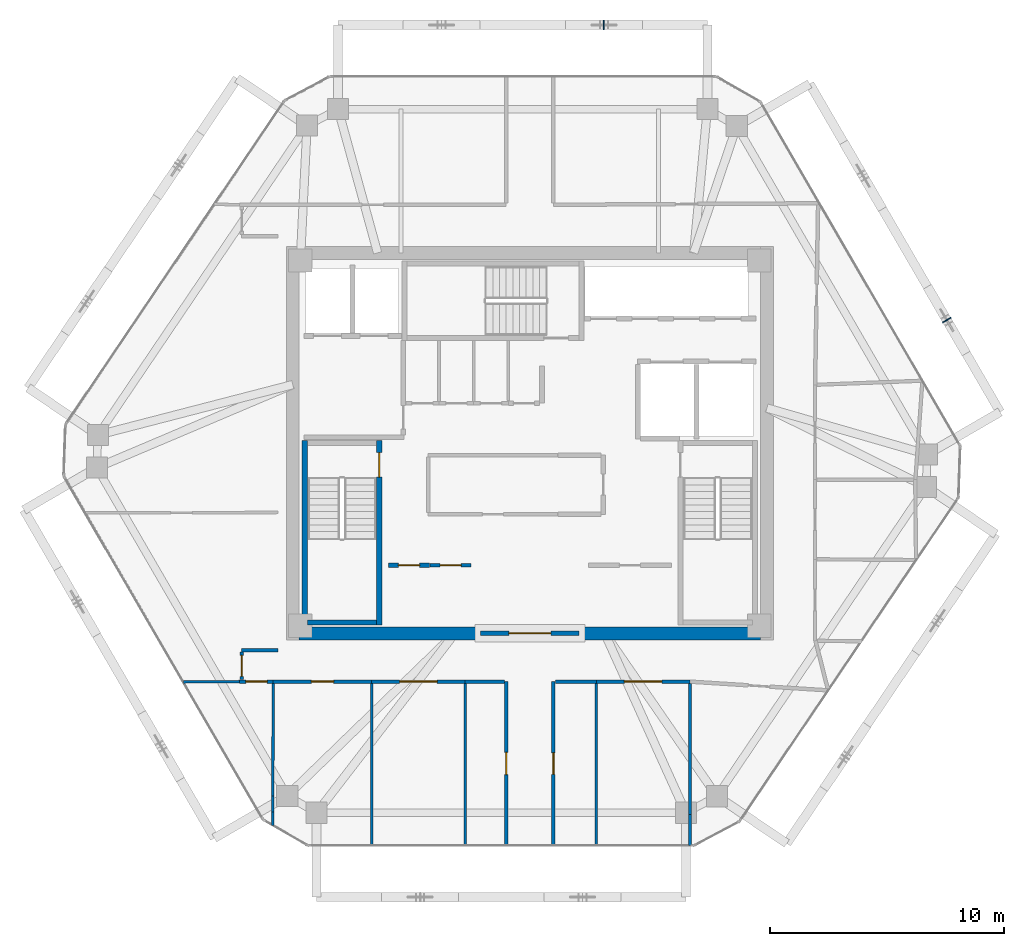
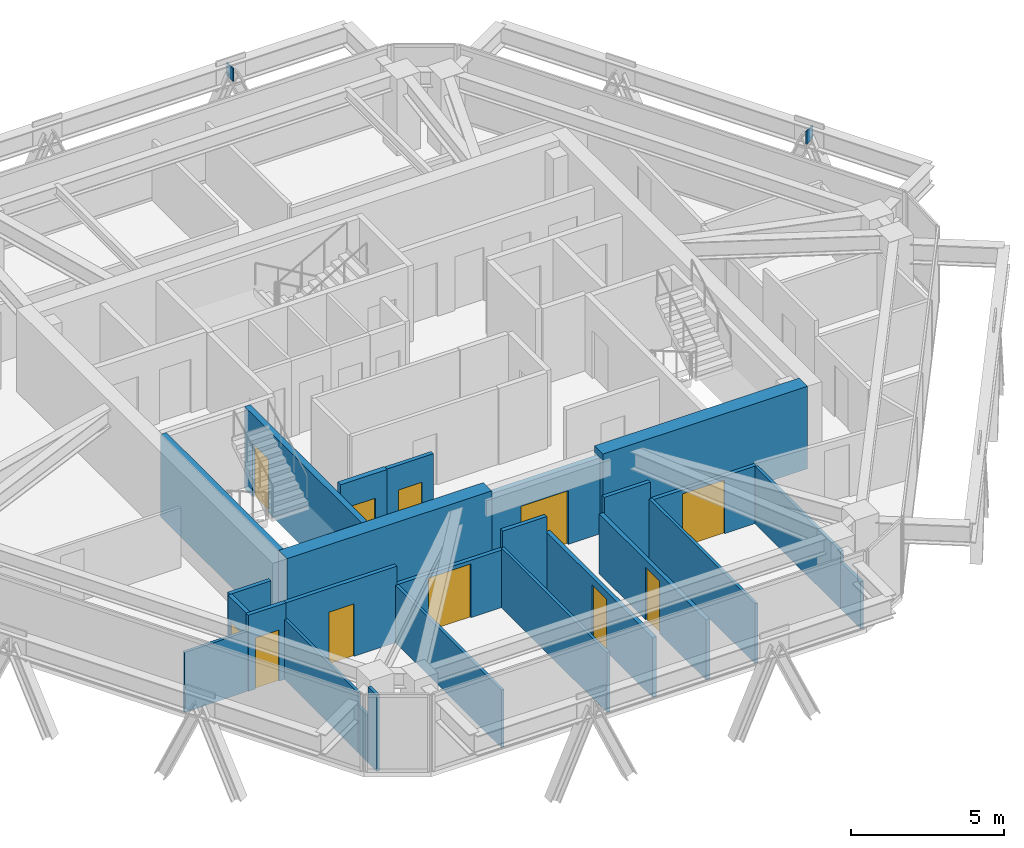
# One storey, part 9 of 13: 27 walls, 11 doors, 2 plates, 11 openings.
"""IFC4 building model written with IfcOpenShell, lengths in metres."""

from ifc_helpers import new_model, si_unit, direction, frame, frame_2d, origin, origin_2d, place, context, subcontext, project, spatial, rectangle, extrude, source, transform, mapped, material, layer, layer_set, type_object, type_shapes, element, fill, save


model = new_model("IFC4")

# Units and contexts
model_context = context("Model", 3, precision=1e-05, world=origin(), true_north=direction((0.0, 1.0)))
body_context = subcontext(model_context, "Body", "Model", "MODEL_VIEW")
ifc_project = project(units=[si_unit("LENGTHUNIT", "METRE"), si_unit("AREAUNIT", "SQUARE_METRE"), si_unit("VOLUMEUNIT", "CUBIC_METRE"), si_unit("PLANEANGLEUNIT", "RADIAN"), si_unit("MASSUNIT", "GRAM", prefix="KILO")], contexts=[model_context])

# Site, building, storey
site_placement = place(None, origin())
site = spatial("IfcSite", under=ifc_project, at=site_placement, CompositionType="ELEMENT")
building_placement = place(site_placement, origin())
building = spatial("IfcBuilding", under=site, at=building_placement, Name="Durnholm Broadcast Tower", CompositionType="ELEMENT")
storey_placement = place(building_placement, frame((0.0, 0.0, 248.0)))
storey = spatial("IfcBuildingStorey", under=building, at=storey_placement, Name="L69", CompositionType="ELEMENT", Elevation=248.0)

# Plates
ifc_material_1 = material(Name="Steel ASTM A572 Grade 50", Category="steel")
ifc_layer_1 = layer(ifc_material_1, 0.044921875)
ifc_layer_set_1 = layer_set([ifc_layer_1], Name="Steel ASTM A572 Grade 50")
plate_type = type_object("IfcPlateType", Name="PLT-KN-STIF", PredefinedType="SHEET", material=ifc_layer_set_1)
shared_shape_1 = source(origin(), body_context, "Body", "SweptSolid", [
    extrude(rectangle(XDim=0.044921875, YDim=0.419921875, at=origin_2d()), origin(), (0.0, 0.0, 1.0), 0.52001953125),
])
type_shapes(plate_type, [shared_shape_1])
for number, where, z_axis, x_axis, name in (
    (1, (17.806640625, 5.2548828125, 2.048583984375), (0.0, 0.0, 1.0), (-0.501963660617, 0.864888711581, 0.0), "L69 welded diagrid node stiffener plate F3"),
    (2, (3.164794921875, 17.862060546875, 2.048583984375), (0.0, 0.0, 1.0), (-1.0, 0.0, 0.0), "L69 welded diagrid node stiffener plate F4"),
):
    element("IfcPlate", number, at=place(storey_placement, frame(where, z_axis=z_axis, x_axis=x_axis)), inside=storey, type_object=plate_type, Name=name, PredefinedType="SHEET", context=body_context, shape_type="MappedRepresentation", body=[
        mapped(shared_shape_1, transform((0.0, 0.0, 0.0), x_axis=(1.0, 0.0, 0.0), y_axis=(0.0, 1.0, 0.0), z_axis=(0.0, 0.0, 1.0), scale=1.0)),
    ])

# Walls
ifc_material_2 = material(Name="Concrete C70/85", Category="concrete")
ifc_layer_2 = layer(ifc_material_2, 0.550048828125)
ifc_layer_set_2 = layer_set([ifc_layer_2], Name="Concrete C70/85")
wall_type_1 = type_object("IfcWallType", Name="WALL-CW-550", PredefinedType="SHEAR", material=ifc_layer_set_2)
for number, where, z_axis, x_axis, name in (
    (3, (-9.85009765625, -8.125, 0.0), (0.0, 0.0, 1.0), (1.0, 0.0, 0.0), "L69 central core shear wall CW-S1"),
    (4, (2.10009765625, -8.125, 0.0), (0.0, 0.0, 1.0), (1.0, 0.0, 0.0), "L69 central core shear wall CW-S2"),
):
    element("IfcWall", number, at=place(storey_placement, frame(where, z_axis=z_axis, x_axis=x_axis)), inside=storey, type_object=wall_type_1, Name=name, PredefinedType="SHEAR", context=body_context, shape_type="SweptSolid", body=[
        extrude(rectangle(XDim=7.75, YDim=0.550048828125, at=frame_2d((3.875, 0.0))), origin(), (0.0, 0.0, 1.0), 3.300048828125),
    ])

# Wall, opening, door
ifc_material_3 = material(Name="Fire-Rated Gypsum Shaftwall", Category="concrete")
ifc_layer_3 = layer(ifc_material_3, 0.199951171875)
ifc_layer_set_3 = layer_set([ifc_layer_3], Name="Fire-Rated Gypsum Shaftwall")
wall_type_2 = type_object("IfcWallType", Name="WALL-LOB-200", PredefinedType="SOLIDWALL", material=ifc_layer_set_3)
wall_1_placement = place(storey_placement, frame((-2.10009765625, -8.125, 0.0), z_axis=(0.0, 0.0, 1.0), x_axis=(1.0, 0.0, 0.0)))
wall_1 = element("IfcWall", 5, at=wall_1_placement, inside=storey, type_object=wall_type_2, Name="L69 south core lobby fire screen", PredefinedType="SOLIDWALL", context=body_context, shape_type="SweptSolid", body=[
    extrude(rectangle(XDim=4.2001953125, YDim=0.199951171875, at=frame_2d((2.10009765625, 0.0))), origin(), (0.0, 0.0, 1.0), 3.044921875),
])
opening_1_placement = place(wall_1_placement, frame((1.199951171875, 0.0, 0.0)))
opening_1 = element("IfcOpeningElement", 6, at=opening_1_placement, cuts=wall_1, Name="Opening DP-60", PredefinedType="OPENING", context=body_context, shape_type="SweptSolid", body=[
    extrude(rectangle(XDim=1.800048828125, YDim=2.14990234375, at=frame_2d((0.89990234375, 1.074951171875))), frame((0.0, 0.10986328125, 0.0), z_axis=(0.0, -1.0, 0.0), x_axis=(1.0, 0.0, 0.0)), (0.0, 0.0, 1.0), 0.219970703125),
])
ifc_material_4 = material(Name="Fire-Rated Double Corridor Door", Category="steel")
ifc_layer_4 = layer(ifc_material_4, 0.050048828125)
ifc_layer_set_4 = layer_set([ifc_layer_4], Name="Fire-Rated Double Corridor Door")
door_type_1 = type_object("IfcDoorType", Name="DOOR-PAIR-FD60", OperationType="DOUBLE_DOOR_SINGLE_SWING", PredefinedType="DOOR", material=ifc_layer_set_4)
shared_shape_2 = source(origin(), body_context, "Body", "SweptSolid", [
    extrude(rectangle(XDim=1.800048828125, YDim=2.14990234375, at=frame_2d((0.89990234375, 1.074951171875))), frame((0.0, 0.02490234375, 0.0), z_axis=(0.0, -1.0, 0.0), x_axis=(1.0, 0.0, 0.0)), (0.0, 0.0, 1.0), 0.050048828125),
])
type_shapes(door_type_1, [shared_shape_2])
door_1_placement = place(opening_1_placement, origin())
door_1 = element("IfcDoor", 7, at=door_1_placement, inside=storey, type_object=door_type_1, Name="L69 south core lobby double fire door", OperationType="DOUBLE_DOOR_SINGLE_SWING", OverallHeight=2.14990234375, OverallWidth=1.800048828125, PredefinedType="DOOR", context=body_context, shape_type="MappedRepresentation", body=[
    mapped(shared_shape_2, transform((0.0, 0.0, 0.0), x_axis=(1.0, 0.0, 0.0), y_axis=(0.0, 1.0, 0.0), z_axis=(0.0, 0.0, 1.0), scale=1.0)),
])
fill(opening_1, door_1)

wall_2_placement = place(storey_placement, frame((-6.0400390625, -5.2099609375, 0.0), z_axis=(0.0, 0.0, 1.0), x_axis=(1.0, 0.0, 0.0)))
wall_2 = element("IfcWall", 8, at=wall_2_placement, inside=storey, type_object=wall_type_2, Name="L69 Media Fiber Patch Room corridor partition", PredefinedType="SOLIDWALL", context=body_context, shape_type="SweptSolid", body=[
    extrude(rectangle(XDim=1.760009765625, YDim=0.199951171875, at=frame_2d((0.8798828125, 0.0))), origin(), (0.0, 0.0, 1.0), 3.044921875),
])
opening_2_placement = place(wall_2_placement, frame((0.429931640625, 0.0, 0.0)))
opening_2 = element("IfcOpeningElement", 9, at=opening_2_placement, cuts=wall_2, Name="Opening DC-60R", PredefinedType="OPENING", context=body_context, shape_type="SweptSolid", body=[
    extrude(rectangle(XDim=0.89990234375, YDim=2.050048828125, at=frame_2d((0.449951171875, 1.02490234375))), frame((0.0, 0.10986328125, 0.0), z_axis=(0.0, -1.0, 0.0), x_axis=(1.0, 0.0, 0.0)), (0.0, 0.0, 1.0), 0.219970703125),
])
ifc_material_5 = material(Name="Fire-Rated Core Service Door", Category="steel")
ifc_layer_5 = layer(ifc_material_5, 0.050048828125)
ifc_layer_set_5 = layer_set([ifc_layer_5], Name="Fire-Rated Core Service Door")
door_type_2 = type_object("IfcDoorType", Name="DOOR-CORE-FD60-R", OperationType="NOTDEFINED", PredefinedType="DOOR", material=ifc_layer_set_5)
shared_shape_3 = source(origin(), body_context, "Body", "SweptSolid", [
    extrude(rectangle(XDim=0.89990234375, YDim=2.050048828125, at=frame_2d((0.449951171875, 1.02490234375))), frame((0.0, 0.02490234375, 0.0), z_axis=(0.0, -1.0, 0.0), x_axis=(1.0, 0.0, 0.0)), (0.0, 0.0, 1.0), 0.050048828125),
])
type_shapes(door_type_2, [shared_shape_3])
door_2_placement = place(opening_2_placement, origin())
door_2 = element("IfcDoor", 10, at=door_2_placement, inside=storey, type_object=door_type_2, Name="L69 Media Fiber Patch Room entrance door", OperationType="SINGLE_SWING_RIGHT", OverallHeight=2.050048828125, OverallWidth=0.89990234375, PredefinedType="DOOR", context=body_context, shape_type="MappedRepresentation", body=[
    mapped(shared_shape_3, transform((0.0, 0.0, 0.0), x_axis=(1.0, 0.0, 0.0), y_axis=(0.0, 1.0, 0.0), z_axis=(0.0, 0.0, 1.0), scale=1.0)),
])
fill(opening_2, door_2)

# Walls
ifc_material_6 = material(Name="Operable Acoustic Panel Partition", Category="aluminium")
ifc_layer_6 = layer(ifc_material_6, 0.110107421875)
ifc_layer_set_6 = layer_set([ifc_layer_6], Name="Operable Acoustic Panel Partition")
wall_type_3 = type_object("IfcWallType", Name="WALL-MOV-110", PredefinedType="MOVABLE", material=ifc_layer_set_6)
wall_3_placement = place(storey_placement, frame((-10.960205078125, -10.259033203125, 0.0), z_axis=(0.0, 0.0, 1.0), x_axis=(-0.003240981611, -0.999994748005, 0.0)))
element("IfcWall", 11, at=wall_3_placement, inside=storey, type_object=wall_type_3, Name="L69 room dividing partition 15.16", PredefinedType="MOVABLE", context=body_context, shape_type="SweptSolid", body=[
    extrude(rectangle(XDim=4.821044921875, YDim=0.110107421875, at=frame_2d((2.41064453125, 0.0))), origin(), (0.0, 0.0, 1.0), 2.398681640625),
])
wall_4_placement = place(storey_placement, frame((-10.97802734375, -15.7578125, 0.0), z_axis=(0.0, 0.0, 1.0), x_axis=(-0.003467686129, -0.999993987558, 0.0)))
element("IfcWall", 12, at=wall_4_placement, inside=storey, type_object=wall_type_3, Name="L69 room dividing partition 15.16", PredefinedType="MOVABLE", context=body_context, shape_type="SweptSolid", body=[
    extrude(rectangle(XDim=0.563232421875, YDim=0.110107421875, at=frame_2d((0.28173828125, 0.0))), origin(), (0.0, 0.0, 1.0), 3.044921875),
])
wall_5_placement = place(storey_placement, frame((-10.975830078125, -15.080078125, 0.0), z_axis=(0.0, 0.0, 1.0), x_axis=(-0.003242057889, -0.999994744517, 0.0)))
element("IfcWall", 13, at=wall_5_placement, inside=storey, type_object=wall_type_3, Name="L69 room dividing partition 15.16", PredefinedType="MOVABLE", context=body_context, shape_type="SweptSolid", body=[
    extrude(rectangle(XDim=0.677734375, YDim=0.110107421875, at=frame_2d((0.3388671875, 0.0))), origin(), (0.0, 0.0, 1.0), 1.876953125),
])
wall_6_placement = place(storey_placement, frame((-14.801513671875, -10.199951171875, 0.0), z_axis=(0.0, 0.0, 1.0), x_axis=(0.999968020968, 0.007997314604, 0.0)))
element("IfcWall", 14, at=wall_6_placement, inside=storey, type_object=wall_type_3, Name="L69 room dividing partition 15.22", PredefinedType="MOVABLE", context=body_context, shape_type="SweptSolid", body=[
    extrude(rectangle(XDim=2.41162109375, YDim=0.110107421875, at=frame_2d((1.205810546875, 0.0))), origin(), (0.0, 0.0, 1.0), 2.398681640625),
])
wall_7_placement = place(storey_placement, frame((-6.760009765625, -10.259033203125, 0.0), z_axis=(0.0, 0.0, 1.0), x_axis=(0.0, -1.0, 0.0)))
element("IfcWall", 15, at=wall_7_placement, inside=storey, type_object=wall_type_3, Name="L69 room dividing partition 16.17", PredefinedType="MOVABLE", context=body_context, shape_type="SweptSolid", body=[
    extrude(rectangle(XDim=6.927001953125, YDim=0.110107421875, at=frame_2d((3.46337890625, 0.0))), origin(), (0.0, 0.0, 1.0), 2.30126953125),
])
for number, where, z_axis, x_axis, name in (
    (16, (-2.760009765625, -10.259033203125, 0.0), (0.0, 0.0, 1.0), (0.0, -1.0, 0.0), "L69 room dividing partition 17.18"),
    (17, (2.840087890625, -10.259033203125, 0.0), (0.0, 0.0, 1.0), (0.0, -1.0, 0.0), "L69 room dividing partition 19.20"),
):
    element("IfcWall", number, at=place(storey_placement, frame(where, z_axis=z_axis, x_axis=x_axis)), inside=storey, type_object=wall_type_3, Name=name, PredefinedType="MOVABLE", context=body_context, shape_type="SweptSolid", body=[
        extrude(rectangle(XDim=6.927001953125, YDim=0.110107421875, at=frame_2d((3.46337890625, 0.0))), origin(), (0.0, 0.0, 1.0), 2.398681640625),
    ])
wall_8_placement = place(storey_placement, frame((6.840087890625, -10.264404296875, 0.0), z_axis=(0.0, 0.0, 1.0), x_axis=(0.0, -1.0, 0.0)))
element("IfcWall", 18, at=wall_8_placement, inside=storey, type_object=wall_type_3, Name="L69 room dividing partition 20.21", PredefinedType="MOVABLE", context=body_context, shape_type="SweptSolid", body=[
    extrude(rectangle(XDim=5.605712890625, YDim=0.110107421875, at=frame_2d((2.802734375, 0.0))), origin(), (0.0, 0.0, 1.0), 2.30126953125),
])
wall_9_placement = place(storey_placement, frame((6.840087890625, -15.8701171875, 0.0), z_axis=(0.0, 0.0, 1.0), x_axis=(0.0, -1.0, 0.0)))
element("IfcWall", 19, at=wall_9_placement, inside=storey, type_object=wall_type_3, Name="L69 room dividing partition 20.21", PredefinedType="MOVABLE", context=body_context, shape_type="SweptSolid", body=[
    extrude(rectangle(XDim=1.31591796875, YDim=0.110107421875, at=frame_2d((0.657958984375, 0.0))), origin(), (0.0, 0.0, 1.0), 1.876953125),
])

# Wall, opening, door
ifc_material_7 = material(Name="Acoustic Gypsum Stud Partition", Category="concrete")
ifc_layer_7 = layer(ifc_material_7, 0.14990234375)
ifc_layer_set_7 = layer_set([ifc_layer_7], Name="Acoustic Gypsum Stud Partition")
wall_type_4 = type_object("IfcWallType", Name="WALL-PART-150", PredefinedType="PARTITIONING", material=ifc_layer_set_7)
wall_10_placement = place(storey_placement, frame((-4.260009765625, -5.2099609375, 0.0), z_axis=(0.0, 0.0, 1.0), x_axis=(1.0, 0.0, 0.0)))
wall_10 = element("IfcWall", 20, at=wall_10_placement, inside=storey, type_object=wall_type_4, Name="L69 Copy and Print Room corridor partition", PredefinedType="PARTITIONING", context=body_context, shape_type="SweptSolid", body=[
    extrude(rectangle(XDim=1.75, YDim=0.14990234375, at=frame_2d((0.875, 0.0))), origin(), (0.0, 0.0, 1.0), 3.044921875),
])
opening_3_placement = place(wall_10_placement, frame((0.425048828125, 0.0, 0.0)))
opening_3 = element("IfcOpeningElement", 21, at=opening_3_placement, cuts=wall_10, Name="Opening DC-60L", PredefinedType="OPENING", context=body_context, shape_type="SweptSolid", body=[
    extrude(rectangle(XDim=0.89990234375, YDim=2.050048828125, at=frame_2d((0.449951171875, 1.02490234375))), frame((0.0, 0.0849609375, 0.0), z_axis=(0.0, -1.0, 0.0), x_axis=(1.0, 0.0, 0.0)), (0.0, 0.0, 1.0), 0.169921875),
])
ifc_layer_8 = layer(ifc_material_5, 0.050048828125)
ifc_layer_set_8 = layer_set([ifc_layer_8], Name="Fire-Rated Core Service Door")
door_type_3 = type_object("IfcDoorType", Name="DOOR-CORE-FD60-L", OperationType="NOTDEFINED", PredefinedType="DOOR", material=ifc_layer_set_8)
shared_shape_4 = source(origin(), body_context, "Body", "SweptSolid", [
    extrude(rectangle(XDim=0.89990234375, YDim=2.050048828125, at=frame_2d((0.449951171875, 1.02490234375))), frame((0.0, 0.02490234375, 0.0), z_axis=(0.0, -1.0, 0.0), x_axis=(1.0, 0.0, 0.0)), (0.0, 0.0, 1.0), 0.050048828125),
])
type_shapes(door_type_3, [shared_shape_4])
door_3_placement = place(opening_3_placement, origin())
door_3 = element("IfcDoor", 22, at=door_3_placement, inside=storey, type_object=door_type_3, Name="L69 Copy and Print Room entrance door", OperationType="SINGLE_SWING_LEFT", OverallHeight=2.050048828125, OverallWidth=0.89990234375, PredefinedType="DOOR", context=body_context, shape_type="MappedRepresentation", body=[
    mapped(shared_shape_4, transform((0.0, 0.0, 0.0), x_axis=(1.0, 0.0, 0.0), y_axis=(0.0, 1.0, 0.0), z_axis=(0.0, 0.0, 1.0), scale=1.0)),
])
fill(opening_3, door_3)

wall_11_placement = place(storey_placement, frame((-12.389892578125, -10.179931640625, 0.0), z_axis=(0.0, 0.0, 1.0), x_axis=(1.0, 0.0, 0.0)))
wall_11 = element("IfcWall", 23, at=wall_11_placement, inside=storey, type_object=wall_type_4, Name="L69 Affiliate Conference Room corridor partition", PredefinedType="PARTITIONING", context=body_context, shape_type="SweptSolid", body=[
    extrude(rectangle(XDim=1.429931640625, YDim=0.14990234375, at=frame_2d((0.71484375, 0.0))), origin(), (0.0, 0.0, 1.0), 3.044921875),
])
opening_4_placement = place(wall_11_placement, frame((0.264892578125, 0.0, 0.0)))
opening_4 = element("IfcOpeningElement", 24, at=opening_4_placement, cuts=wall_11, Name="Opening DW-90R", PredefinedType="OPENING", context=body_context, shape_type="SweptSolid", body=[
    extrude(rectangle(XDim=0.89990234375, YDim=2.050048828125, at=frame_2d((0.449951171875, 1.02490234375))), frame((0.0, 0.0849609375, 0.0), z_axis=(0.0, -1.0, 0.0), x_axis=(1.0, 0.0, 0.0)), (0.0, 0.0, 1.0), 0.169921875),
])
ifc_material_8 = material(Name="Laminate Restroom Door", Category="steel")
ifc_layer_9 = layer(ifc_material_8, 0.050048828125)
ifc_layer_set_9 = layer_set([ifc_layer_9], Name="Laminate Restroom Door")
door_type_4 = type_object("IfcDoorType", Name="DOOR-WC-900R", OperationType="NOTDEFINED", PredefinedType="DOOR", material=ifc_layer_set_9)
shared_shape_5 = source(origin(), body_context, "Body", "SweptSolid", [
    extrude(rectangle(XDim=0.89990234375, YDim=2.050048828125, at=frame_2d((0.449951171875, 1.02490234375))), frame((0.0, 0.02490234375, 0.0), z_axis=(0.0, -1.0, 0.0), x_axis=(1.0, 0.0, 0.0)), (0.0, 0.0, 1.0), 0.050048828125),
])
type_shapes(door_type_4, [shared_shape_5])
door_4_placement = place(opening_4_placement, origin())
door_4 = element("IfcDoor", 25, at=door_4_placement, inside=storey, type_object=door_type_4, Name="L69 Affiliate Conference Room entrance door", OperationType="SINGLE_SWING_RIGHT", OverallHeight=2.050048828125, OverallWidth=0.89990234375, PredefinedType="DOOR", context=body_context, shape_type="MappedRepresentation", body=[
    mapped(shared_shape_5, transform((0.0, 0.0, 0.0), x_axis=(1.0, 0.0, 0.0), y_axis=(0.0, 1.0, 0.0), z_axis=(0.0, 0.0, 1.0), scale=1.0)),
])
fill(opening_4, door_4)

wall_12_placement = place(storey_placement, frame((-10.9599609375, -10.179931640625, 0.0), z_axis=(0.0, 0.0, 1.0), x_axis=(1.0, 0.0, 0.0)))
wall_12 = element("IfcWall", 26, at=wall_12_placement, inside=storey, type_object=wall_type_4, Name="L69 Executive Briefing Room corridor partition", PredefinedType="PARTITIONING", context=body_context, shape_type="SweptSolid", body=[
    extrude(rectangle(XDim=4.199951171875, YDim=0.14990234375, at=frame_2d((2.10009765625, 0.0))), origin(), (0.0, 0.0, 1.0), 3.044921875),
])
opening_5_placement = place(wall_12_placement, frame((1.625, 0.0, 0.0)))
opening_5 = element("IfcOpeningElement", 27, at=opening_5_placement, cuts=wall_12, Name="Opening DR-95L", PredefinedType="OPENING", context=body_context, shape_type="SweptSolid", body=[
    extrude(rectangle(XDim=0.949951171875, YDim=2.10009765625, at=frame_2d((0.47509765625, 1.050048828125))), frame((0.0, 0.0849609375, 0.0), z_axis=(0.0, -1.0, 0.0), x_axis=(1.0, 0.0, 0.0)), (0.0, 0.0, 1.0), 0.169921875),
])
ifc_material_9 = material(Name="Acoustic Oak Veneer Timber Door", Category="wood")
ifc_layer_10 = layer(ifc_material_9, 0.050048828125)
ifc_layer_set_10 = layer_set([ifc_layer_10], Name="Acoustic Oak Veneer Timber Door")
door_type_5 = type_object("IfcDoorType", Name="DOOR-RM-950L", OperationType="NOTDEFINED", PredefinedType="DOOR", material=ifc_layer_set_10)
shared_shape_6 = source(origin(), body_context, "Body", "SweptSolid", [
    extrude(rectangle(XDim=0.949951171875, YDim=2.10009765625, at=frame_2d((0.47509765625, 1.050048828125))), frame((0.0, 0.02490234375, 0.0), z_axis=(0.0, -1.0, 0.0), x_axis=(1.0, 0.0, 0.0)), (0.0, 0.0, 1.0), 0.050048828125),
])
type_shapes(door_type_5, [shared_shape_6])
door_5_placement = place(opening_5_placement, origin())
door_5 = element("IfcDoor", 28, at=door_5_placement, inside=storey, type_object=door_type_5, Name="L69 Executive Briefing Room entrance door", OperationType="SINGLE_SWING_LEFT", OverallHeight=2.10009765625, OverallWidth=0.949951171875, PredefinedType="DOOR", context=body_context, shape_type="MappedRepresentation", body=[
    mapped(shared_shape_6, transform((0.0, 0.0, 0.0), x_axis=(1.0, 0.0, 0.0), y_axis=(0.0, 1.0, 0.0), z_axis=(0.0, 0.0, 1.0), scale=1.0)),
])
fill(opening_5, door_5)

wall_13_placement = place(storey_placement, frame((-6.760009765625, -10.179931640625, 0.0), z_axis=(0.0, 0.0, 1.0), x_axis=(1.0, 0.0, 0.0)))
wall_13 = element("IfcWall", 29, at=wall_13_placement, inside=storey, type_object=wall_type_4, Name="L69 Press Colloquium Hall corridor partition", PredefinedType="PARTITIONING", context=body_context, shape_type="SweptSolid", body=[
    extrude(rectangle(XDim=4.0, YDim=0.14990234375, at=frame_2d((2.0, 0.0))), origin(), (0.0, 0.0, 1.0), 2.30126953125),
])
opening_6_placement = place(wall_13_placement, frame((1.199951171875, 0.0, 0.0)))
opening_6 = element("IfcOpeningElement", 30, at=opening_6_placement, cuts=wall_13, Name="Opening DST-160", PredefinedType="OPENING", context=body_context, shape_type="SweptSolid", body=[
    extrude(rectangle(XDim=1.60009765625, YDim=2.14990234375, at=frame_2d((0.800048828125, 1.074951171875))), frame((0.0, 0.0849609375, 0.0), z_axis=(0.0, -1.0, 0.0), x_axis=(1.0, 0.0, 0.0)), (0.0, 0.0, 1.0), 0.169921875),
])
ifc_material_10 = material(Name="Acoustic Broadcast Studio Sound-Lock Door", Category="steel")
ifc_layer_11 = layer(ifc_material_10, 0.050048828125)
ifc_layer_set_11 = layer_set([ifc_layer_11], Name="Acoustic Broadcast Studio Sound-Lock Door")
door_type_6 = type_object("IfcDoorType", Name="DOOR-STU-1600", OperationType="DOUBLE_DOOR_SINGLE_SWING", PredefinedType="DOOR", material=ifc_layer_set_11)
shared_shape_7 = source(origin(), body_context, "Body", "SweptSolid", [
    extrude(rectangle(XDim=1.60009765625, YDim=2.14990234375, at=frame_2d((0.800048828125, 1.074951171875))), frame((0.0, 0.02490234375, 0.0), z_axis=(0.0, -1.0, 0.0), x_axis=(1.0, 0.0, 0.0)), (0.0, 0.0, 1.0), 0.050048828125),
])
type_shapes(door_type_6, [shared_shape_7])
door_6_placement = place(opening_6_placement, origin())
door_6 = element("IfcDoor", 31, at=door_6_placement, inside=storey, type_object=door_type_6, Name="L69 Press Colloquium Hall entrance door", OperationType="DOUBLE_DOOR_SINGLE_SWING", OverallHeight=2.14990234375, OverallWidth=1.60009765625, PredefinedType="DOOR", context=body_context, shape_type="MappedRepresentation", body=[
    mapped(shared_shape_7, transform((0.0, 0.0, 0.0), x_axis=(1.0, 0.0, 0.0), y_axis=(0.0, 1.0, 0.0), z_axis=(0.0, 0.0, 1.0), scale=1.0)),
])
fill(opening_6, door_6)

wall_14_placement = place(storey_placement, frame((-1.010009765625, -10.179931640625, 0.0), z_axis=(0.0, 0.0, 1.0), x_axis=(0.0, -1.0, 0.0)))
wall_14 = element("IfcWall", 32, at=wall_14_placement, inside=storey, type_object=wall_type_4, Name="L69 Syndication Conference Room corridor partition", PredefinedType="PARTITIONING", context=body_context, shape_type="SweptSolid", body=[
    extrude(rectangle(XDim=7.006103515625, YDim=0.14990234375, at=frame_2d((3.5029296875, 0.0))), origin(), (0.0, 0.0, 1.0), 2.398681640625),
])
opening_7_placement = place(wall_14_placement, frame((3.028076171875, 0.0, 0.0)))
opening_7 = element("IfcOpeningElement", 33, at=opening_7_placement, cuts=wall_14, Name="Opening DR-95L", PredefinedType="OPENING", context=body_context, shape_type="SweptSolid", body=[
    extrude(rectangle(XDim=0.949951171875, YDim=2.10009765625, at=frame_2d((0.47509765625, 1.050048828125))), frame((0.0, 0.0849609375, 0.0), z_axis=(0.0, -1.0, 0.0), x_axis=(1.0, 0.0, 0.0)), (0.0, 0.0, 1.0), 0.169921875),
])
door_7_placement = place(opening_7_placement, origin())
door_7 = element("IfcDoor", 34, at=door_7_placement, inside=storey, type_object=door_type_5, Name="L69 Syndication Conference Room entrance door", OperationType="SINGLE_SWING_LEFT", OverallHeight=2.10009765625, OverallWidth=0.949951171875, PredefinedType="DOOR", context=body_context, shape_type="MappedRepresentation", body=[
    mapped(shared_shape_6, transform((0.0, 0.0, 0.0), x_axis=(1.0, 0.0, 0.0), y_axis=(0.0, 1.0, 0.0), z_axis=(0.0, 0.0, 1.0), scale=1.0)),
])
fill(opening_7, door_7)

# Wall
wall_15_placement = place(storey_placement, frame((-2.760009765625, -10.179931640625, 0.0), z_axis=(0.0, 0.0, 1.0), x_axis=(1.0, 0.0, 0.0)))
element("IfcWall", 35, at=wall_15_placement, inside=storey, type_object=wall_type_4, Name="L69 Syndication Conference Room corridor partition", PredefinedType="PARTITIONING", context=body_context, shape_type="SweptSolid", body=[
    extrude(rectangle(XDim=1.6708984375, YDim=0.14990234375, at=frame_2d((0.83544921875, 0.0))), origin(), (0.0, 0.0, 1.0), 3.044921875),
])

# Wall, opening, door
wall_16_placement = place(storey_placement, frame((1.010009765625, -17.18603515625, 0.0), z_axis=(0.0, 0.0, 1.0), x_axis=(0.0, 1.0, 0.0)))
wall_16 = element("IfcWall", 36, at=wall_16_placement, inside=storey, type_object=wall_type_4, Name="L69 Network Hospitality Pantry corridor partition", PredefinedType="PARTITIONING", context=body_context, shape_type="SweptSolid", body=[
    extrude(rectangle(XDim=7.006103515625, YDim=0.14990234375, at=frame_2d((3.5029296875, 0.0))), origin(), (0.0, 0.0, 1.0), 2.398681640625),
])
opening_8_placement = place(wall_16_placement, frame((3.04296875, 0.0, 0.0)))
opening_8 = element("IfcOpeningElement", 37, at=opening_8_placement, cuts=wall_16, Name="Opening DR-92R", PredefinedType="OPENING", context=body_context, shape_type="SweptSolid", body=[
    extrude(rectangle(XDim=0.919921875, YDim=2.10009765625, at=frame_2d((0.4599609375, 1.050048828125))), frame((0.0, 0.0849609375, 0.0), z_axis=(0.0, -1.0, 0.0), x_axis=(1.0, 0.0, 0.0)), (0.0, 0.0, 1.0), 0.169921875),
])
ifc_material_11 = material(Name="Oak Veneer Office Door", Category="wood")
ifc_layer_12 = layer(ifc_material_11, 0.050048828125)
ifc_layer_set_12 = layer_set([ifc_layer_12], Name="Oak Veneer Office Door")
door_type_7 = type_object("IfcDoorType", Name="DOOR-RM-920R", OperationType="NOTDEFINED", PredefinedType="DOOR", material=ifc_layer_set_12)
shared_shape_8 = source(origin(), body_context, "Body", "SweptSolid", [
    extrude(rectangle(XDim=0.919921875, YDim=2.10009765625, at=frame_2d((0.4599609375, 1.050048828125))), frame((0.0, 0.02490234375, 0.0), z_axis=(0.0, -1.0, 0.0), x_axis=(1.0, 0.0, 0.0)), (0.0, 0.0, 1.0), 0.050048828125),
])
type_shapes(door_type_7, [shared_shape_8])
door_8_placement = place(opening_8_placement, origin())
door_8 = element("IfcDoor", 38, at=door_8_placement, inside=storey, type_object=door_type_7, Name="L69 Network Hospitality Pantry entrance door", OperationType="SINGLE_SWING_RIGHT", OverallHeight=2.10009765625, OverallWidth=0.919921875, PredefinedType="DOOR", context=body_context, shape_type="MappedRepresentation", body=[
    mapped(shared_shape_8, transform((0.0, 0.0, 0.0), x_axis=(1.0, 0.0, 0.0), y_axis=(0.0, 1.0, 0.0), z_axis=(0.0, 0.0, 1.0), scale=1.0)),
])
fill(opening_8, door_8)

# Wall
wall_17_placement = place(storey_placement, frame((1.089111328125, -10.179931640625, 0.0), z_axis=(0.0, 0.0, 1.0), x_axis=(1.0, 0.0, 0.0)))
element("IfcWall", 39, at=wall_17_placement, inside=storey, type_object=wall_type_4, Name="L69 Network Hospitality Pantry corridor partition", PredefinedType="PARTITIONING", context=body_context, shape_type="SweptSolid", body=[
    extrude(rectangle(XDim=1.7509765625, YDim=0.14990234375, at=frame_2d((0.87548828125, 0.0))), origin(), (0.0, 0.0, 1.0), 3.044921875),
])

# Wall, opening, door
wall_18_placement = place(storey_placement, frame((2.840087890625, -10.179931640625, 0.0), z_axis=(0.0, 0.0, 1.0), x_axis=(1.0, 0.0, 0.0)))
wall_18 = element("IfcWall", 40, at=wall_18_placement, inside=storey, type_object=wall_type_4, Name="L69 Broadcast Screening Auditorium corridor partition", PredefinedType="PARTITIONING", context=body_context, shape_type="SweptSolid", body=[
    extrude(rectangle(XDim=4.0, YDim=0.14990234375, at=frame_2d((2.0, 0.0))), origin(), (0.0, 0.0, 1.0), 2.30126953125),
])
opening_9_placement = place(wall_18_placement, frame((1.199951171875, 0.0, 0.0)))
opening_9 = element("IfcOpeningElement", 41, at=opening_9_placement, cuts=wall_18, Name="Opening DST-160", PredefinedType="OPENING", context=body_context, shape_type="SweptSolid", body=[
    extrude(rectangle(XDim=1.60009765625, YDim=2.14990234375, at=frame_2d((0.800048828125, 1.074951171875))), frame((0.0, 0.0849609375, 0.0), z_axis=(0.0, -1.0, 0.0), x_axis=(1.0, 0.0, 0.0)), (0.0, 0.0, 1.0), 0.169921875),
])
door_9_placement = place(opening_9_placement, origin())
door_9 = element("IfcDoor", 42, at=door_9_placement, inside=storey, type_object=door_type_6, Name="L69 Broadcast Screening Auditorium entrance door", OperationType="DOUBLE_DOOR_SINGLE_SWING", OverallHeight=2.14990234375, OverallWidth=1.60009765625, PredefinedType="DOOR", context=body_context, shape_type="MappedRepresentation", body=[
    mapped(shared_shape_7, transform((0.0, 0.0, 0.0), x_axis=(1.0, 0.0, 0.0), y_axis=(0.0, 1.0, 0.0), z_axis=(0.0, 0.0, 1.0), scale=1.0)),
])
fill(opening_9, door_9)

# Wall
wall_19_placement = place(storey_placement, frame((-10.760009765625, -8.840087890625, 0.0), z_axis=(0.0, 0.0, 1.0), x_axis=(-1.0, 0.0, 0.0)))
element("IfcWall", 43, at=wall_19_placement, inside=storey, type_object=wall_type_4, Name="L69 Affiliate Conference Room corridor partition", PredefinedType="PARTITIONING", context=body_context, shape_type="SweptSolid", body=[
    extrude(rectangle(XDim=1.550048828125, YDim=0.14990234375, at=frame_2d((0.77490234375, 0.0))), origin(), (0.0, 0.0, 1.0), 3.044921875),
])

# Wall, opening, door
wall_20_placement = place(storey_placement, frame((-12.31005859375, -8.9189453125, 0.0), z_axis=(0.0, 0.0, 1.0), x_axis=(0.0, -1.0, 0.0)))
wall_20 = element("IfcWall", 44, at=wall_20_placement, inside=storey, type_object=wall_type_4, Name="L69 Affiliate Conference Room corridor partition", PredefinedType="PARTITIONING", context=body_context, shape_type="SweptSolid", body=[
    extrude(rectangle(XDim=1.18212890625, YDim=0.14990234375, at=frame_2d((0.591064453125, 0.0))), origin(), (0.0, 0.0, 1.0), 3.044921875),
])
opening_10_placement = place(wall_20_placement, frame((0.14111328125, 0.0, 0.0)))
opening_10 = element("IfcOpeningElement", 45, at=opening_10_placement, cuts=wall_20, Name="Opening DW-90R", PredefinedType="OPENING", context=body_context, shape_type="SweptSolid", body=[
    extrude(rectangle(XDim=0.89990234375, YDim=2.050048828125, at=frame_2d((0.449951171875, 1.02490234375))), frame((0.0, 0.0849609375, 0.0), z_axis=(0.0, -1.0, 0.0), x_axis=(1.0, 0.0, 0.0)), (0.0, 0.0, 1.0), 0.169921875),
])
door_10_placement = place(opening_10_placement, origin())
door_10 = element("IfcDoor", 46, at=door_10_placement, inside=storey, type_object=door_type_4, Name="L69 Affiliate Conference Room entrance door", OperationType="SINGLE_SWING_RIGHT", OverallHeight=2.050048828125, OverallWidth=0.89990234375, PredefinedType="DOOR", context=body_context, shape_type="MappedRepresentation", body=[
    mapped(shared_shape_5, transform((0.0, 0.0, 0.0), x_axis=(1.0, 0.0, 0.0), y_axis=(0.0, 1.0, 0.0), z_axis=(0.0, 0.0, 1.0), scale=1.0)),
])
fill(opening_10, door_10)

ifc_material_12 = material(Name="Concrete C50/60", Category="concrete")
ifc_layer_13 = layer(ifc_material_12, 0.219970703125)
ifc_layer_set_13 = layer_set([ifc_layer_13], Name="Concrete C50/60")
wall_type_5 = type_object("IfcWallType", Name="WALL-SW-220", PredefinedType="SHEAR", material=ifc_layer_set_13)
wall_21_placement = place(storey_placement, frame((-6.429931640625, -7.77001953125, -0.239990234375), z_axis=(0.0, 0.0, 1.0), x_axis=(0.0, 1.0, 0.0)))
wall_21 = element("IfcWall", 47, at=wall_21_placement, inside=storey, type_object=wall_type_5, Name="L69 stair ST-1 structural shaft wall E", PredefinedType="SHEAR", context=body_context, shape_type="SweptSolid", body=[
    extrude(rectangle(XDim=7.89013671875, YDim=0.219970703125, at=frame_2d((3.945068359375, 0.0))), origin(), (0.0, 0.0, 1.0), 3.300048828125),
])
opening_11_placement = place(wall_21_placement, frame((6.320068359375, 0.0, 0.0)))
opening_11 = element("IfcOpeningElement", 48, at=opening_11_placement, cuts=wall_21, Name="Opening DS-90L", PredefinedType="OPENING", context=body_context, shape_type="SweptSolid", body=[
    extrude(rectangle(XDim=1.050048828125, YDim=2.14990234375, at=frame_2d((0.52490234375, 1.074951171875))), frame((0.0, 0.1201171875, 0.0), z_axis=(0.0, -1.0, 0.0), x_axis=(1.0, 0.0, 0.0)), (0.0, 0.0, 1.0), 0.239990234375),
])
ifc_material_13 = material(Name="Fire-Rated Steel Door", Category="steel")
ifc_layer_14 = layer(ifc_material_13, 0.050048828125)
ifc_layer_set_14 = layer_set([ifc_layer_14], Name="Fire-Rated Steel Door")
door_type_8 = type_object("IfcDoorType", Name="DOOR-ST-FD90-L", OperationType="NOTDEFINED", PredefinedType="DOOR", material=ifc_layer_set_14)
shared_shape_9 = source(origin(), body_context, "Body", "SweptSolid", [
    extrude(rectangle(XDim=1.050048828125, YDim=2.14990234375, at=frame_2d((0.52490234375, 1.074951171875))), frame((0.0, 0.02490234375, 0.0), z_axis=(0.0, -1.0, 0.0), x_axis=(1.0, 0.0, 0.0)), (0.0, 0.0, 1.0), 0.050048828125),
])
type_shapes(door_type_8, [shared_shape_9])
door_11_placement = place(opening_11_placement, origin())
door_11 = element("IfcDoor", 49, at=door_11_placement, inside=storey, type_object=door_type_8, Name="L69 exit stair ST-1 fire door", OperationType="SINGLE_SWING_LEFT", OverallHeight=2.14990234375, OverallWidth=1.050048828125, PredefinedType="DOOR", context=body_context, shape_type="MappedRepresentation", body=[
    mapped(shared_shape_9, transform((0.0, 0.0, 0.0), x_axis=(1.0, 0.0, 0.0), y_axis=(0.0, 1.0, 0.0), z_axis=(0.0, 0.0, 1.0), scale=1.0)),
])
fill(opening_11, door_11)

# Walls
wall_22_placement = place(storey_placement, frame((-9.610107421875, 0.1201171875, -0.239990234375), z_axis=(0.0, 0.0, 1.0), x_axis=(0.0, -1.0, 0.0)))
element("IfcWall", 50, at=wall_22_placement, inside=storey, type_object=wall_type_5, Name="L69 stair ST-1 structural shaft wall W", PredefinedType="SHEAR", context=body_context, shape_type="SweptSolid", body=[
    extrude(rectangle(XDim=7.89013671875, YDim=0.219970703125, at=frame_2d((3.945068359375, 0.0))), origin(), (0.0, 0.0, 1.0), 3.300048828125),
])
wall_23_placement = place(storey_placement, frame((-9.5, -7.659912109375, -0.239990234375), z_axis=(0.0, 0.0, 1.0), x_axis=(1.0, 0.0, 0.0)))
element("IfcWall", 51, at=wall_23_placement, inside=storey, type_object=wall_type_5, Name="L69 stair ST-1 structural shaft wall S", PredefinedType="SHEAR", context=body_context, shape_type="SweptSolid", body=[
    extrude(rectangle(XDim=2.9599609375, YDim=0.219970703125, at=frame_2d((1.47998046875, 0.0))), origin(), (0.0, 0.0, 1.0), 3.300048828125),
])

save(model, "model.ifc")
